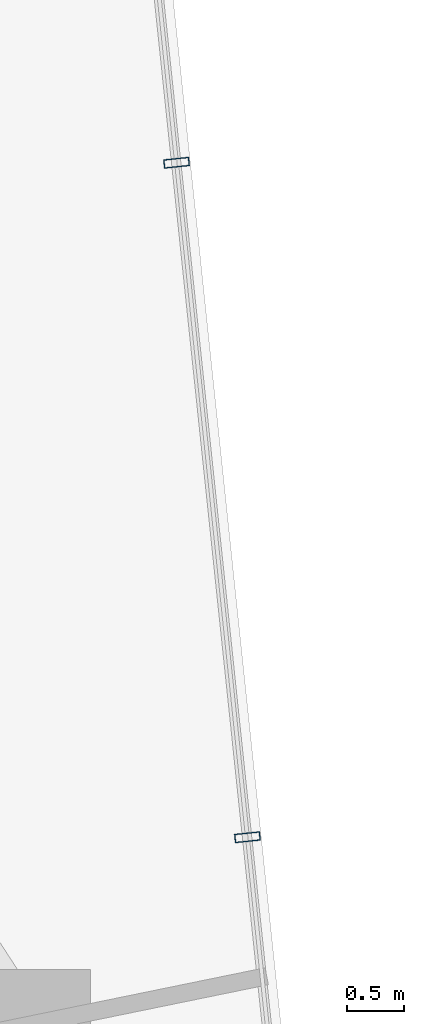
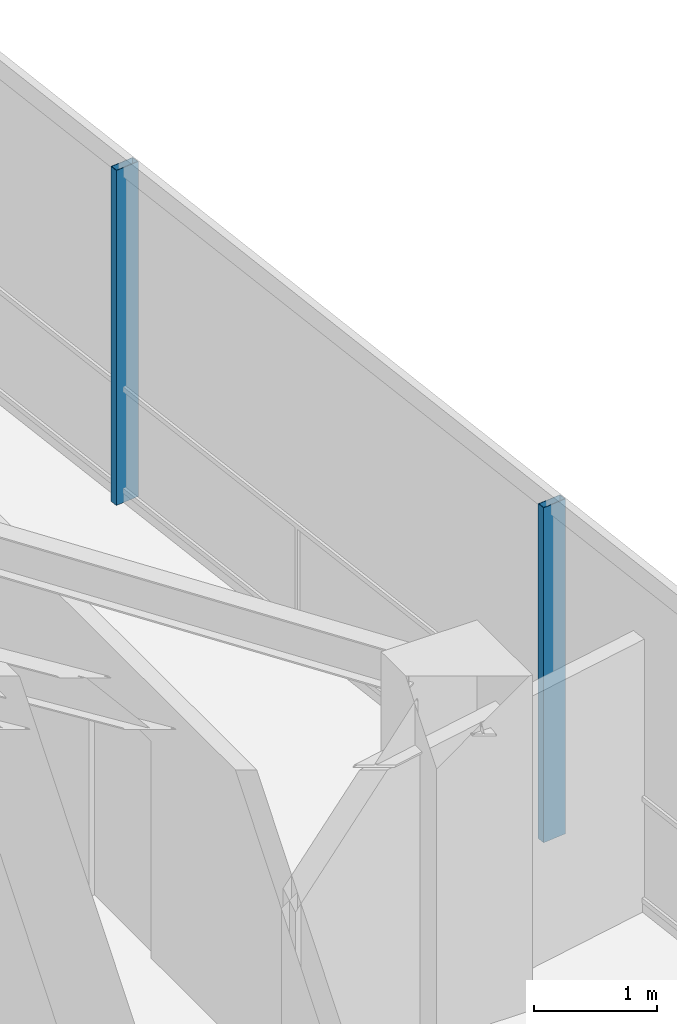
# One storey, part 11 of 20: 2 members, 1 element without a shape of its own.
"""IFC4 building model written with IfcOpenShell, lengths in metres."""

from ifc_helpers import new_model, si_unit, direction, frame, origin, origin_2d, place, context, subcontext, project, spatial, hollow_rectangle, extrude, material, layer, layer_set, material_profile, profile_set, type_object, element, aggregate, save


model = new_model("IFC4")

# Units and contexts
model_context = context("Model", 3, precision=1e-05, world=origin(), true_north=direction((0.0, 1.0)))
body_context = subcontext(model_context, "Body", "Model", "MODEL_VIEW")
ifc_project = project(units=[si_unit("LENGTHUNIT", "METRE"), si_unit("AREAUNIT", "SQUARE_METRE"), si_unit("VOLUMEUNIT", "CUBIC_METRE"), si_unit("PLANEANGLEUNIT", "RADIAN"), si_unit("MASSUNIT", "GRAM", prefix="KILO")], contexts=[model_context])

# Site, building, storey
site_placement = place(None, origin())
site = spatial("IfcSite", under=ifc_project, at=site_placement, CompositionType="ELEMENT")
building_placement = place(site_placement, origin())
building = spatial("IfcBuilding", under=site, at=building_placement, Name="Qarnah Convention Tower", CompositionType="ELEMENT")
storey_placement = place(building_placement, frame((0.0, 0.0, 202.199951171875)))
storey = spatial("IfcBuildingStorey", under=building, at=storey_placement, Name="L54", CompositionType="ELEMENT", Elevation=202.199951171875)

# Curtain wall, members
ifc_material_1 = material(Name="Tempered Low-E dark glass", Category="glass")
ifc_layer = layer(ifc_material_1, 0.174072265625)
ifc_layer_set = layer_set([ifc_layer], Name="Tempered Low-E dark glass")
curtain_wall_type = type_object("IfcCurtainWallType", Name="CWS-04", PredefinedType="NOTDEFINED", material=ifc_layer_set)
curtain_wall_placement = place(storey_placement, origin())
curtain_wall = element("IfcCurtainWall", 1, at=curtain_wall_placement, inside=storey, type_object=curtain_wall_type, Name="L54 unitised curtain wall CW-L54-F2", PredefinedType="NOTDEFINED")
ifc_material_2 = material(Name="Black anodised aluminium", Category="aluminium")
ifc_material_profile = material_profile(ifc_material_2, hollow_rectangle(XDim=0.074951171875, YDim=0.219970703125, WallThickness=0.0048828125, at=origin_2d()), Name="MUL-75X220")
ifc_profile_set = profile_set([ifc_material_profile], Name="Black anodised aluminium")
member_type = type_object("IfcMemberType", Name="MUL-T4", PredefinedType="MULLION", material=ifc_profile_set)
member_1_placement = place(storey_placement, frame((52.23974609375, 36.813232421875, 0.0), z_axis=(0.0, 0.0, 1.0), x_axis=(0.104504856791, -0.994524376226, 0.0)))
member_1 = element("IfcMember", 2, at=member_1_placement, type_object=member_type, Name="CW-L54-F2 mullion 2", PredefinedType="MULLION", context=body_context, shape_type="SweptSolid", body=[
    extrude(hollow_rectangle(XDim=0.074951171875, YDim=0.219970703125, WallThickness=0.0048828125, at=origin_2d()), origin(), (0.0, 0.0, 1.0), 3.320068359375),
])
member_2_placement = place(storey_placement, frame((52.856689453125, 30.943359375, 0.0), z_axis=(0.0, 0.0, 1.0), x_axis=(0.104504856791, -0.994524376226, 0.0)))
member_2 = element("IfcMember", 3, at=member_2_placement, type_object=member_type, Name="CW-L54-F2 mullion 3", PredefinedType="MULLION", context=body_context, shape_type="SweptSolid", body=[
    extrude(hollow_rectangle(XDim=0.074951171875, YDim=0.219970703125, WallThickness=0.0048828125, at=origin_2d()), origin(), (0.0, 0.0, 1.0), 3.320068359375),
])
aggregate(curtain_wall, [member_1, member_2])

save(model, "model.ifc")
